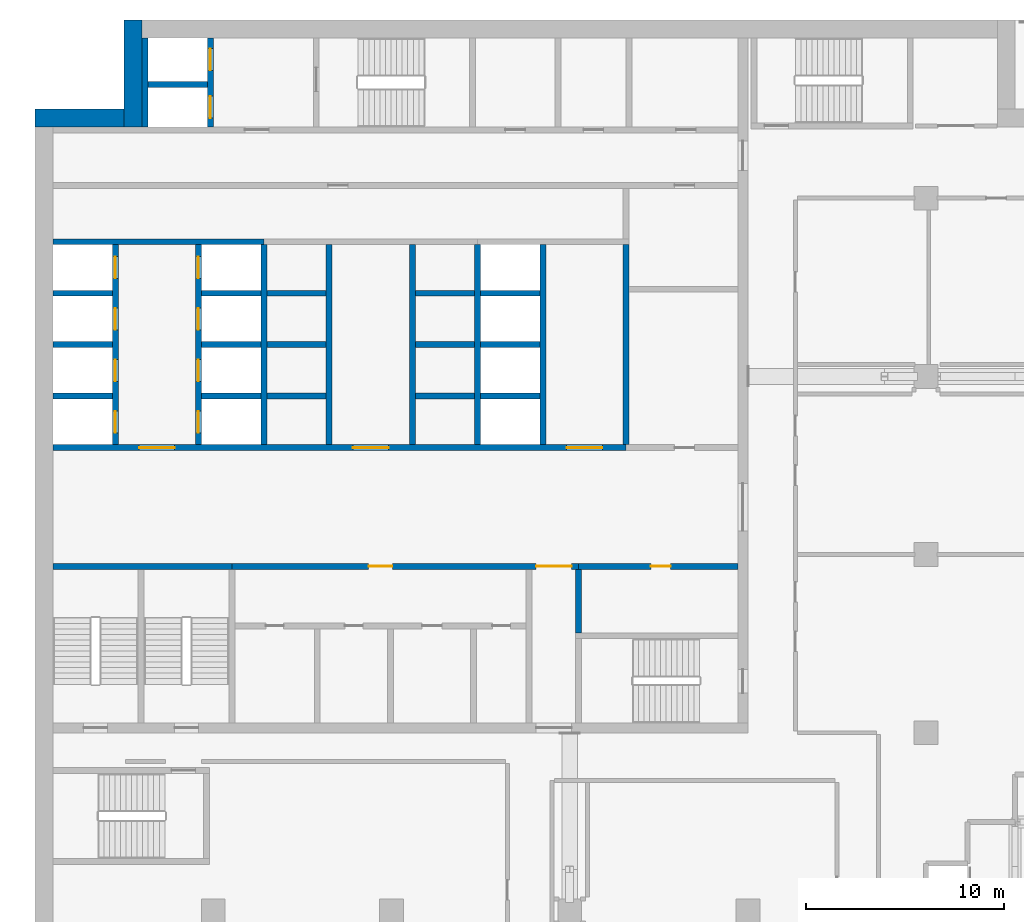
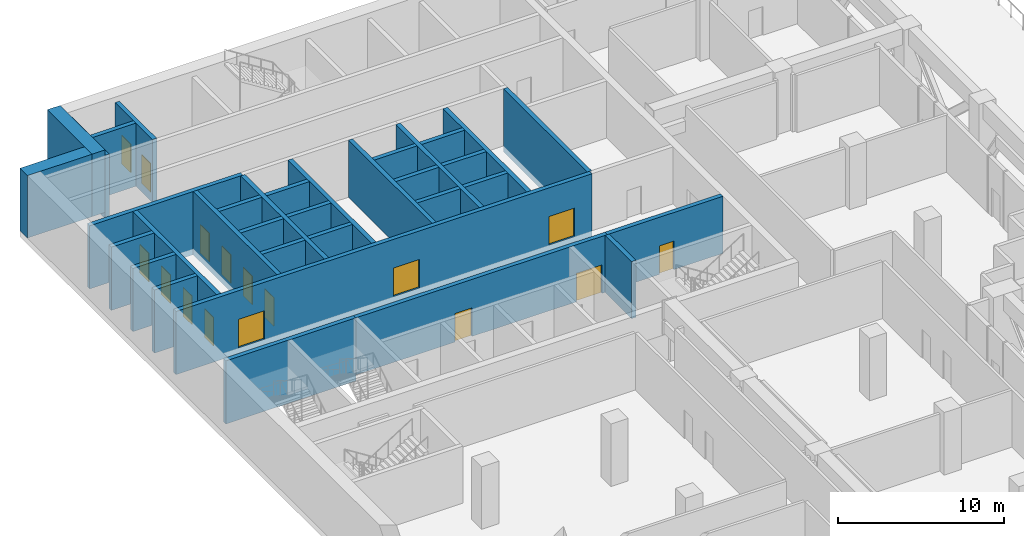
# One storey, part 9 of 20: 34 walls, 16 doors, 16 openings.
"""IFC4 building model written with IfcOpenShell, lengths in metres."""

from ifc_helpers import new_model, si_unit, direction, frame, frame_2d, origin, place, context, subcontext, project, spatial, rectangle, extrude, material, layer, layer_set, type_object, element, fill, save


model = new_model("IFC4")

# Units and contexts
model_context = context("Model", 3, precision=1e-05, world=origin(), true_north=direction((0.0, 1.0)))
body_context = subcontext(model_context, "Body", "Model", "MODEL_VIEW")
ifc_project = project(units=[si_unit("LENGTHUNIT", "METRE"), si_unit("AREAUNIT", "SQUARE_METRE"), si_unit("VOLUMEUNIT", "CUBIC_METRE"), si_unit("PLANEANGLEUNIT", "RADIAN"), si_unit("MASSUNIT", "GRAM", prefix="KILO")], contexts=[model_context])

# Site, building, storey
site_placement = place(None, origin())
site = spatial("IfcSite", under=ifc_project, at=site_placement, CompositionType="ELEMENT")
building_placement = place(site_placement, origin())
building = spatial("IfcBuilding", under=site, at=building_placement, Name="Hunhe Ridgeline Campus", CompositionType="ELEMENT")
storey_placement = place(building_placement, frame((0.0, 0.0, 178.199951171875)))
storey = spatial("IfcBuildingStorey", under=building, at=storey_placement, Name="L45", CompositionType="ELEMENT", Elevation=178.199951171875)

# Wall, openings, doors
ifc_material_1 = material(Name="Masonry concrete blockwork", Category="masonry")
ifc_layer_1 = layer(ifc_material_1, 0.300048828125)
ifc_layer_set_1 = layer_set([ifc_layer_1], Name="Core room partition 300 concrete block")
wall_type_1 = type_object("IfcWallType", Name="Core room partition 300 concrete block", PredefinedType="PARTITIONING", material=ifc_layer_set_1)
wall_1_placement = place(storey_placement, frame((9.949951171875, 71.39990234375, 0.0), z_axis=(0.0, 0.0, 1.0), x_axis=(1.0, 0.0, 0.0)))
wall_1 = element("IfcWall", 1, at=wall_1_placement, inside=storey, type_object=wall_type_1, Name="L45 core partition 11", PredefinedType="PARTITIONING", context=body_context, shape_type="SweptSolid", body=[
    extrude(rectangle(XDim=17.5, YDim=0.300048828125, at=frame_2d((8.75, 0.0))), origin(), (0.0, 0.0, 1.0), 4.199951171875),
])
opening_1_placement = place(wall_1_placement, frame((15.35009765625, 0.0, 0.0)))
opening_1 = element("IfcOpeningElement", 2, at=opening_1_placement, cuts=wall_1, Name="Opening CD7", PredefinedType="OPENING", context=body_context, shape_type="SweptSolid", body=[
    extrude(rectangle(XDim=1.800048828125, YDim=2.10009765625, at=frame_2d((0.89990234375, 1.050048828125))), frame((0.0, 0.14990234375, 0.0), z_axis=(0.0, -1.0, 0.0), x_axis=(1.0, 0.0, 0.0)), (0.0, 0.0, 1.0), 0.300048828125),
])
opening_2_placement = place(wall_1_placement, frame((6.89990234375, 0.0, 0.0)))
opening_2 = element("IfcOpeningElement", 3, at=opening_2_placement, cuts=wall_1, Name="Opening CD37", PredefinedType="OPENING", context=body_context, shape_type="SweptSolid", body=[
    extrude(rectangle(XDim=1.199951171875, YDim=2.10009765625, at=frame_2d((0.60009765625, 1.050048828125))), frame((0.0, 0.14990234375, 0.0), z_axis=(0.0, -1.0, 0.0), x_axis=(1.0, 0.0, 0.0)), (0.0, 0.0, 1.0), 0.300048828125),
])
ifc_material_2 = material(Name="Anodised aluminium and glass", Category="aluminium")
door_type_1 = type_object("IfcDoorType", Name="Glazed double door 1800x2100", OperationType="DOUBLE_DOOR_SINGLE_SWING", PredefinedType="DOOR", material=ifc_material_2)
door_1_placement = place(opening_1_placement, origin())
door_1 = element("IfcDoor", 4, at=door_1_placement, inside=storey, type_object=door_type_1, Name="L45 door VEST-HALL", OperationType="DOUBLE_DOOR_SINGLE_SWING", OverallHeight=2.10009765625, OverallWidth=1.800048828125, PredefinedType="DOOR", context=body_context, shape_type="SweptSolid", body=[
    extrude(rectangle(XDim=1.800048828125, YDim=2.10009765625, at=frame_2d((0.89990234375, 1.050048828125))), frame((0.0, 0.02490234375, 0.0), z_axis=(0.0, -1.0, 0.0), x_axis=(1.0, 0.0, 0.0)), (0.0, 0.0, 1.0), 0.050048828125),
])
fill(opening_1, door_1)
ifc_material_3 = material(Name="Solid core timber door leaf", Category="wood")
door_type_2 = type_object("IfcDoorType", Name="Timber door 1200x2100", OperationType="SINGLE_SWING_LEFT", PredefinedType="DOOR", material=ifc_material_3)
door_2_placement = place(opening_2_placement, origin())
door_2 = element("IfcDoor", 5, at=door_2_placement, inside=storey, type_object=door_type_2, Name="L45 door WCL1-HALL", OperationType="SINGLE_SWING_RIGHT", OverallHeight=2.10009765625, OverallWidth=1.199951171875, PredefinedType="DOOR", context=body_context, shape_type="SweptSolid", body=[
    extrude(rectangle(XDim=1.199951171875, YDim=2.10009765625, at=frame_2d((0.60009765625, 1.050048828125))), frame((0.0, 0.02490234375, 0.0), z_axis=(0.0, -1.0, 0.0), x_axis=(1.0, 0.0, 0.0)), (0.0, 0.0, 1.0), 0.050048828125),
])
fill(opening_2, door_2)

# Wall
wall_2_placement = place(storey_placement, frame((27.449951171875, 68.050048828125, 0.0), z_axis=(0.0, 0.0, 1.0), x_axis=(0.0, 1.0, 0.0)))
element("IfcWall", 6, at=wall_2_placement, inside=storey, type_object=wall_type_1, Name="L45 core partition 61", PredefinedType="PARTITIONING", context=body_context, shape_type="SweptSolid", body=[
    extrude(rectangle(XDim=3.199951171875, YDim=0.300048828125, at=frame_2d((1.60009765625, 0.0))), origin(), (0.0, 0.0, 1.0), 4.199951171875),
])

# Wall, opening, door
ifc_material_4 = material(Name="Concrete C60", Category="concrete")
ifc_layer_2 = layer(ifc_material_4, 0.300048828125)
ifc_layer_set_2 = layer_set([ifc_layer_2], Name="Lobby wall 300 reinforced concrete C60")
wall_type_2 = type_object("IfcWallType", Name="Lobby wall 300 reinforced concrete C60", PredefinedType="SOLIDWALL", material=ifc_layer_set_2)
wall_3_placement = place(storey_placement, frame((27.449951171875, 71.39990234375, 0.0), z_axis=(0.0, 0.0, 1.0), x_axis=(1.0, 0.0, 0.0)))
wall_3 = element("IfcWall", 7, at=wall_3_placement, inside=storey, type_object=wall_type_2, Name="L45 core wall 12", PredefinedType="SOLIDWALL", context=body_context, shape_type="SweptSolid", body=[
    extrude(rectangle(XDim=8.050048828125, YDim=0.300048828125, at=frame_2d((4.02490234375, 0.0))), origin(), (0.0, 0.0, 1.0), 4.199951171875),
])
opening_3_placement = place(wall_3_placement, frame((3.64990234375, 0.0, 0.0)))
opening_3 = element("IfcOpeningElement", 8, at=opening_3_placement, cuts=wall_3, Name="Opening CD25", PredefinedType="OPENING", context=body_context, shape_type="SweptSolid", body=[
    extrude(rectangle(XDim=1.0, YDim=2.10009765625, at=frame_2d((0.5, 1.050048828125))), frame((0.0, 0.14990234375, 0.0), z_axis=(0.0, -1.0, 0.0), x_axis=(1.0, 0.0, 0.0)), (0.0, 0.0, 1.0), 0.300048828125),
])
door_type_3 = type_object("IfcDoorType", Name="Timber door 1000x2100", OperationType="SINGLE_SWING_LEFT", PredefinedType="DOOR", material=ifc_material_3)
door_3_placement = place(opening_3_placement, frame((1.0, 0.0, 0.0), z_axis=(0.0, 0.0, 1.0), x_axis=(-1.0, 0.0, 0.0)))
door_3 = element("IfcDoor", 9, at=door_3_placement, inside=storey, type_object=door_type_3, Name="L45 door SE1", OperationType="SINGLE_SWING_RIGHT", OverallHeight=2.10009765625, OverallWidth=1.0, PredefinedType="DOOR", context=body_context, shape_type="SweptSolid", body=[
    extrude(rectangle(XDim=1.0, YDim=2.10009765625, at=frame_2d((0.5, 1.050048828125))), frame((0.0, 0.02490234375, 0.0), z_axis=(0.0, -1.0, 0.0), x_axis=(1.0, 0.0, 0.0)), (0.0, 0.0, 1.0), 0.050048828125),
])
fill(opening_3, door_3)

# Wall
wall_4_placement = place(storey_placement, frame((29.85009765625, 77.550048828125, -0.449951171875), z_axis=(0.0, 0.0, 1.0), x_axis=(0.0, 1.0, 0.0)))
element("IfcWall", 10, at=wall_4_placement, inside=storey, type_object=wall_type_2, Name="L45 core wall 62", PredefinedType="SOLIDWALL", context=body_context, shape_type="SweptSolid", body=[
    extrude(rectangle(XDim=10.099853515625, YDim=0.300048828125, at=frame_2d((5.0498046875, 0.0))), origin(), (0.0, 0.0, 1.0), 4.64990234375),
])

# Wall, openings, doors
ifc_layer_3 = layer(ifc_material_4, 0.300048828125)
ifc_layer_set_3 = layer_set([ifc_layer_3], Name="Shaft wall 300 reinforced concrete C60")
wall_type_3 = type_object("IfcWallType", Name="Shaft wall 300 reinforced concrete C60", PredefinedType="SOLIDWALL", material=ifc_layer_set_3)
wall_5_placement = place(storey_placement, frame((0.89990234375, 77.39990234375, -0.449951171875), z_axis=(0.0, 0.0, 1.0), x_axis=(1.0, 0.0, 0.0)))
wall_5 = element("IfcWall", 11, at=wall_5_placement, inside=storey, type_object=wall_type_3, Name="L45 core wall 13", PredefinedType="SOLIDWALL", context=body_context, shape_type="SweptSolid", body=[
    extrude(rectangle(XDim=28.9501953125, YDim=0.300048828125, at=frame_2d((14.47509765625, 0.0))), origin(), (0.0, 0.0, 1.0), 4.64990234375),
])
opening_4_placement = place(wall_5_placement, frame((4.35009765625, 0.0, 0.449951171875)))
opening_4 = element("IfcOpeningElement", 12, at=opening_4_placement, cuts=wall_5, Name="Opening CD1", PredefinedType="OPENING", context=body_context, shape_type="SweptSolid", body=[
    extrude(rectangle(XDim=1.800048828125, YDim=2.10009765625, at=frame_2d((0.89990234375, 1.050048828125))), frame((0.0, 0.14990234375, 0.0), z_axis=(0.0, -1.0, 0.0), x_axis=(1.0, 0.0, 0.0)), (0.0, 0.0, 1.0), 0.300048828125),
])
opening_5_placement = place(wall_5_placement, frame((15.14990234375, 0.0, 0.449951171875)))
opening_5 = element("IfcOpeningElement", 13, at=opening_5_placement, cuts=wall_5, Name="Opening CD38", PredefinedType="OPENING", context=body_context, shape_type="SweptSolid", body=[
    extrude(rectangle(XDim=1.800048828125, YDim=2.10009765625, at=frame_2d((0.89990234375, 1.050048828125))), frame((0.0, 0.14990234375, 0.0), z_axis=(0.0, -1.0, 0.0), x_axis=(1.0, 0.0, 0.0)), (0.0, 0.0, 1.0), 0.300048828125),
])
opening_6_placement = place(wall_5_placement, frame((25.949951171875, 0.0, 0.449951171875)))
opening_6 = element("IfcOpeningElement", 14, at=opening_6_placement, cuts=wall_5, Name="Opening CD2", PredefinedType="OPENING", context=body_context, shape_type="SweptSolid", body=[
    extrude(rectangle(XDim=1.800048828125, YDim=2.10009765625, at=frame_2d((0.89990234375, 1.050048828125))), frame((0.0, 0.14990234375, 0.0), z_axis=(0.0, -1.0, 0.0), x_axis=(1.0, 0.0, 0.0)), (0.0, 0.0, 1.0), 0.300048828125),
])
ifc_material_5 = material(Name="Hollow metal fire door leaf")
door_type_4 = type_object("IfcDoorType", Name="Lobby door 1800x2100 FD60", OperationType="SINGLE_SWING_LEFT", PredefinedType="DOOR", material=ifc_material_5)
door_4_placement = place(opening_4_placement, frame((1.800048828125, 0.0, 0.0), z_axis=(0.0, 0.0, 1.0), x_axis=(-1.0, 0.0, 0.0)))
door_4 = element("IfcDoor", 15, at=door_4_placement, inside=storey, type_object=door_type_4, Name="L45 door LOB-LR", OperationType="SINGLE_SWING_RIGHT", OverallHeight=2.10009765625, OverallWidth=1.800048828125, PredefinedType="DOOR", context=body_context, shape_type="SweptSolid", body=[
    extrude(rectangle(XDim=1.800048828125, YDim=2.10009765625, at=frame_2d((0.89990234375, 1.050048828125))), frame((0.0, 0.02490234375, 0.0), z_axis=(0.0, -1.0, 0.0), x_axis=(1.0, 0.0, 0.0)), (0.0, 0.0, 1.0), 0.050048828125),
])
fill(opening_4, door_4)
door_5_placement = place(opening_5_placement, frame((1.800048828125, 0.0, 0.0), z_axis=(0.0, 0.0, 1.0), x_axis=(-1.0, 0.0, 0.0)))
door_5 = element("IfcDoor", 16, at=door_5_placement, inside=storey, type_object=door_type_4, Name="L45 door LOB-HR", OperationType="SINGLE_SWING_LEFT", OverallHeight=2.10009765625, OverallWidth=1.800048828125, PredefinedType="DOOR", context=body_context, shape_type="SweptSolid", body=[
    extrude(rectangle(XDim=1.800048828125, YDim=2.10009765625, at=frame_2d((0.89990234375, 1.050048828125))), frame((0.0, 0.02490234375, 0.0), z_axis=(0.0, -1.0, 0.0), x_axis=(1.0, 0.0, 0.0)), (0.0, 0.0, 1.0), 0.050048828125),
])
fill(opening_5, door_5)
door_6_placement = place(opening_6_placement, frame((1.800048828125, 0.0, 0.0), z_axis=(0.0, 0.0, 1.0), x_axis=(-1.0, 0.0, 0.0)))
door_6 = element("IfcDoor", 17, at=door_6_placement, inside=storey, type_object=door_type_4, Name="L45 door LOB-SH", OperationType="SINGLE_SWING_RIGHT", OverallHeight=2.10009765625, OverallWidth=1.800048828125, PredefinedType="DOOR", context=body_context, shape_type="SweptSolid", body=[
    extrude(rectangle(XDim=1.800048828125, YDim=2.10009765625, at=frame_2d((0.89990234375, 1.050048828125))), frame((0.0, 0.02490234375, 0.0), z_axis=(0.0, -1.0, 0.0), x_axis=(1.0, 0.0, 0.0)), (0.0, 0.0, 1.0), 0.050048828125),
])
fill(opening_6, door_6)

# Walls
for number, where, z_axis, x_axis, name in (
    (18, (0.89990234375, 80.0, -0.449951171875), (0.0, 0.0, 1.0), (1.0, 0.0, 0.0), "L45 core wall 15"),
    (19, (8.39990234375, 80.0, -0.449951171875), (0.0, 0.0, 1.0), (1.0, 0.0, 0.0), "L45 core wall 16"),
):
    element("IfcWall", number, at=place(storey_placement, frame(where, z_axis=z_axis, x_axis=x_axis)), inside=storey, type_object=wall_type_3, Name=name, PredefinedType="SOLIDWALL", context=body_context, shape_type="SweptSolid", body=[
        extrude(rectangle(XDim=3.0, YDim=0.300048828125, at=frame_2d((1.5, 0.0))), origin(), (0.0, 0.0, 1.0), 4.64990234375),
    ])
for number, where, z_axis, x_axis, name in (
    (20, (11.699951171875, 80.0, 0.0), (0.0, 0.0, 1.0), (1.0, 0.0, 0.0), "L45 core wall 17"),
    (21, (19.199951171875, 80.0, 0.0), (0.0, 0.0, 1.0), (1.0, 0.0, 0.0), "L45 core wall 18"),
):
    element("IfcWall", number, at=place(storey_placement, frame(where, z_axis=z_axis, x_axis=x_axis)), inside=storey, type_object=wall_type_3, Name=name, PredefinedType="SOLIDWALL", context=body_context, shape_type="SweptSolid", body=[
        extrude(rectangle(XDim=3.0, YDim=0.300048828125, at=frame_2d((1.5, 0.0))), origin(), (0.0, 0.0, 1.0), 4.199951171875),
    ])
for number, where, z_axis, x_axis, name in (
    (22, (22.5, 80.0, -0.449951171875), (0.0, 0.0, 1.0), (1.0, 0.0, 0.0), "L45 core wall 19"),
    (23, (0.89990234375, 82.60009765625, -0.449951171875), (0.0, 0.0, 1.0), (1.0, 0.0, 0.0), "L45 core wall 20"),
    (24, (8.39990234375, 82.60009765625, -0.449951171875), (0.0, 0.0, 1.0), (1.0, 0.0, 0.0), "L45 core wall 21"),
):
    element("IfcWall", number, at=place(storey_placement, frame(where, z_axis=z_axis, x_axis=x_axis)), inside=storey, type_object=wall_type_3, Name=name, PredefinedType="SOLIDWALL", context=body_context, shape_type="SweptSolid", body=[
        extrude(rectangle(XDim=3.0, YDim=0.300048828125, at=frame_2d((1.5, 0.0))), origin(), (0.0, 0.0, 1.0), 4.64990234375),
    ])
for number, where, z_axis, x_axis, name in (
    (25, (11.699951171875, 82.60009765625, 0.0), (0.0, 0.0, 1.0), (1.0, 0.0, 0.0), "L45 core wall 22"),
    (26, (19.199951171875, 82.60009765625, 0.0), (0.0, 0.0, 1.0), (1.0, 0.0, 0.0), "L45 core wall 23"),
):
    element("IfcWall", number, at=place(storey_placement, frame(where, z_axis=z_axis, x_axis=x_axis)), inside=storey, type_object=wall_type_3, Name=name, PredefinedType="SOLIDWALL", context=body_context, shape_type="SweptSolid", body=[
        extrude(rectangle(XDim=3.0, YDim=0.300048828125, at=frame_2d((1.5, 0.0))), origin(), (0.0, 0.0, 1.0), 4.199951171875),
    ])
for number, where, z_axis, x_axis, name in (
    (27, (22.5, 82.60009765625, -0.449951171875), (0.0, 0.0, 1.0), (1.0, 0.0, 0.0), "L45 core wall 24"),
    (28, (0.89990234375, 85.199951171875, -0.449951171875), (0.0, 0.0, 1.0), (1.0, 0.0, 0.0), "L45 core wall 25"),
    (29, (8.39990234375, 85.199951171875, -0.449951171875), (0.0, 0.0, 1.0), (1.0, 0.0, 0.0), "L45 core wall 26"),
):
    element("IfcWall", number, at=place(storey_placement, frame(where, z_axis=z_axis, x_axis=x_axis)), inside=storey, type_object=wall_type_3, Name=name, PredefinedType="SOLIDWALL", context=body_context, shape_type="SweptSolid", body=[
        extrude(rectangle(XDim=3.0, YDim=0.300048828125, at=frame_2d((1.5, 0.0))), origin(), (0.0, 0.0, 1.0), 4.64990234375),
    ])
for number, where, z_axis, x_axis, name in (
    (30, (11.699951171875, 85.199951171875, 0.0), (0.0, 0.0, 1.0), (1.0, 0.0, 0.0), "L45 core wall 27"),
    (31, (19.199951171875, 85.199951171875, 0.0), (0.0, 0.0, 1.0), (1.0, 0.0, 0.0), "L45 core wall 28"),
):
    element("IfcWall", number, at=place(storey_placement, frame(where, z_axis=z_axis, x_axis=x_axis)), inside=storey, type_object=wall_type_3, Name=name, PredefinedType="SOLIDWALL", context=body_context, shape_type="SweptSolid", body=[
        extrude(rectangle(XDim=3.0, YDim=0.300048828125, at=frame_2d((1.5, 0.0))), origin(), (0.0, 0.0, 1.0), 4.199951171875),
    ])
wall_6_placement = place(storey_placement, frame((22.5, 85.199951171875, -0.449951171875), z_axis=(0.0, 0.0, 1.0), x_axis=(1.0, 0.0, 0.0)))
element("IfcWall", 32, at=wall_6_placement, inside=storey, type_object=wall_type_3, Name="L45 core wall 29", PredefinedType="SOLIDWALL", context=body_context, shape_type="SweptSolid", body=[
    extrude(rectangle(XDim=3.0, YDim=0.300048828125, at=frame_2d((1.5, 0.0))), origin(), (0.0, 0.0, 1.0), 4.64990234375),
])
wall_7_placement = place(storey_placement, frame((0.89990234375, 87.800048828125, -0.449951171875), z_axis=(0.0, 0.0, 1.0), x_axis=(1.0, 0.0, 0.0)))
element("IfcWall", 33, at=wall_7_placement, inside=storey, type_object=wall_type_3, Name="L45 core wall 31", PredefinedType="SOLIDWALL", context=body_context, shape_type="SweptSolid", body=[
    extrude(rectangle(XDim=10.650146484375, YDim=0.300048828125, at=frame_2d((5.3251953125, 0.0))), origin(), (0.0, 0.0, 1.0), 4.64990234375),
])
wall_8_placement = place(storey_placement, frame((5.699951171875, 95.75, -0.449951171875), z_axis=(0.0, 0.0, 1.0), x_axis=(1.0, 0.0, 0.0)))
element("IfcWall", 34, at=wall_8_placement, inside=storey, type_object=wall_type_3, Name="L45 core wall 37", PredefinedType="SOLIDWALL", context=body_context, shape_type="SweptSolid", body=[
    extrude(rectangle(XDim=3.0, YDim=0.300048828125, at=frame_2d((1.5, 0.0))), origin(), (0.0, 0.0, 1.0), 4.64990234375),
])

# Wall, openings, doors
wall_9_placement = place(storey_placement, frame((4.050048828125, 77.550048828125, -0.449951171875), z_axis=(0.0, 0.0, 1.0), x_axis=(0.0, 1.0, 0.0)))
wall_9 = element("IfcWall", 35, at=wall_9_placement, inside=storey, type_object=wall_type_3, Name="L45 core wall 38", PredefinedType="SOLIDWALL", context=body_context, shape_type="SweptSolid", body=[
    extrude(rectangle(XDim=10.099853515625, YDim=0.300048828125, at=frame_2d((5.0498046875, 0.0))), origin(), (0.0, 0.0, 1.0), 4.64990234375),
])
opening_7_placement = place(wall_9_placement, frame((0.60009765625, 0.0, 0.449951171875)))
opening_7 = element("IfcOpeningElement", 36, at=opening_7_placement, cuts=wall_9, Name="Opening LD-LR1", PredefinedType="OPENING", context=body_context, shape_type="SweptSolid", body=[
    extrude(rectangle(XDim=1.10009765625, YDim=2.10009765625, at=frame_2d((0.550048828125, 1.050048828125))), frame((0.0, 0.14990234375, 0.0), z_axis=(0.0, -1.0, 0.0), x_axis=(1.0, 0.0, 0.0)), (0.0, 0.0, 1.0), 0.300048828125),
])
opening_8_placement = place(wall_9_placement, frame((3.199951171875, 0.0, 0.449951171875)))
opening_8 = element("IfcOpeningElement", 37, at=opening_8_placement, cuts=wall_9, Name="Opening LD-LR2", PredefinedType="OPENING", context=body_context, shape_type="SweptSolid", body=[
    extrude(rectangle(XDim=1.10009765625, YDim=2.10009765625, at=frame_2d((0.550048828125, 1.050048828125))), frame((0.0, 0.14990234375, 0.0), z_axis=(0.0, -1.0, 0.0), x_axis=(1.0, 0.0, 0.0)), (0.0, 0.0, 1.0), 0.300048828125),
])
opening_9_placement = place(wall_9_placement, frame((5.800048828125, 0.0, 0.449951171875)))
opening_9 = element("IfcOpeningElement", 38, at=opening_9_placement, cuts=wall_9, Name="Opening LD-LR3", PredefinedType="OPENING", context=body_context, shape_type="SweptSolid", body=[
    extrude(rectangle(XDim=1.10009765625, YDim=2.10009765625, at=frame_2d((0.550048828125, 1.050048828125))), frame((0.0, 0.14990234375, 0.0), z_axis=(0.0, -1.0, 0.0), x_axis=(1.0, 0.0, 0.0)), (0.0, 0.0, 1.0), 0.300048828125),
])
opening_10_placement = place(wall_9_placement, frame((8.39990234375, 0.0, 0.449951171875)))
opening_10 = element("IfcOpeningElement", 39, at=opening_10_placement, cuts=wall_9, Name="Opening LD-LR4", PredefinedType="OPENING", context=body_context, shape_type="SweptSolid", body=[
    extrude(rectangle(XDim=1.10009765625, YDim=2.10009765625, at=frame_2d((0.550048828125, 1.050048828125))), frame((0.0, 0.14990234375, 0.0), z_axis=(0.0, -1.0, 0.0), x_axis=(1.0, 0.0, 0.0)), (0.0, 0.0, 1.0), 0.300048828125),
])
ifc_material_6 = material(Name="Stainless steel sliding leaves", Category="steel")
door_type_5 = type_object("IfcDoorType", Name="Landing door 1100x2100 FD120", OperationType="SLIDING_TO_LEFT", PredefinedType="DOOR", material=ifc_material_6)
door_7_placement = place(opening_7_placement, origin())
door_7 = element("IfcDoor", 40, at=door_7_placement, inside=storey, type_object=door_type_5, Name="L45 landing door LR1", OperationType="SLIDING_TO_RIGHT", OverallHeight=2.10009765625, OverallWidth=1.10009765625, PredefinedType="DOOR", context=body_context, shape_type="SweptSolid", body=[
    extrude(rectangle(XDim=1.10009765625, YDim=2.10009765625, at=frame_2d((0.550048828125, 1.050048828125))), frame((0.0, 0.02490234375, 0.0), z_axis=(0.0, -1.0, 0.0), x_axis=(1.0, 0.0, 0.0)), (0.0, 0.0, 1.0), 0.050048828125),
])
fill(opening_7, door_7)
door_8_placement = place(opening_8_placement, origin())
door_8 = element("IfcDoor", 41, at=door_8_placement, inside=storey, type_object=door_type_5, Name="L45 landing door LR2", OperationType="SLIDING_TO_LEFT", OverallHeight=2.10009765625, OverallWidth=1.10009765625, PredefinedType="DOOR", context=body_context, shape_type="SweptSolid", body=[
    extrude(rectangle(XDim=1.10009765625, YDim=2.10009765625, at=frame_2d((0.550048828125, 1.050048828125))), frame((0.0, 0.02490234375, 0.0), z_axis=(0.0, -1.0, 0.0), x_axis=(1.0, 0.0, 0.0)), (0.0, 0.0, 1.0), 0.050048828125),
])
fill(opening_8, door_8)
door_9_placement = place(opening_9_placement, origin())
door_9 = element("IfcDoor", 42, at=door_9_placement, inside=storey, type_object=door_type_5, Name="L45 landing door LR3", OperationType="SLIDING_TO_RIGHT", OverallHeight=2.10009765625, OverallWidth=1.10009765625, PredefinedType="DOOR", context=body_context, shape_type="SweptSolid", body=[
    extrude(rectangle(XDim=1.10009765625, YDim=2.10009765625, at=frame_2d((0.550048828125, 1.050048828125))), frame((0.0, 0.02490234375, 0.0), z_axis=(0.0, -1.0, 0.0), x_axis=(1.0, 0.0, 0.0)), (0.0, 0.0, 1.0), 0.050048828125),
])
fill(opening_9, door_9)
door_10_placement = place(opening_10_placement, origin())
door_10 = element("IfcDoor", 43, at=door_10_placement, inside=storey, type_object=door_type_5, Name="L45 landing door LR4", OperationType="SLIDING_TO_LEFT", OverallHeight=2.10009765625, OverallWidth=1.10009765625, PredefinedType="DOOR", context=body_context, shape_type="SweptSolid", body=[
    extrude(rectangle(XDim=1.10009765625, YDim=2.10009765625, at=frame_2d((0.550048828125, 1.050048828125))), frame((0.0, 0.02490234375, 0.0), z_axis=(0.0, -1.0, 0.0), x_axis=(1.0, 0.0, 0.0)), (0.0, 0.0, 1.0), 0.050048828125),
])
fill(opening_10, door_10)

# Wall
wall_10_placement = place(storey_placement, frame((5.550048828125, 93.60009765625, -0.449951171875), z_axis=(0.0, 0.0, 1.0), x_axis=(0.0, 1.0, 0.0)))
element("IfcWall", 44, at=wall_10_placement, inside=storey, type_object=wall_type_3, Name="L45 core wall 40", PredefinedType="SOLIDWALL", context=body_context, shape_type="SweptSolid", body=[
    extrude(rectangle(XDim=4.5, YDim=0.300048828125, at=frame_2d((2.25, 0.0))), origin(), (0.0, 0.0, 1.0), 4.64990234375),
])

# Wall, openings, doors
wall_11_placement = place(storey_placement, frame((8.25, 77.550048828125, -0.449951171875), z_axis=(0.0, 0.0, 1.0), x_axis=(0.0, 1.0, 0.0)))
wall_11 = element("IfcWall", 45, at=wall_11_placement, inside=storey, type_object=wall_type_3, Name="L45 core wall 41", PredefinedType="SOLIDWALL", context=body_context, shape_type="SweptSolid", body=[
    extrude(rectangle(XDim=10.099853515625, YDim=0.300048828125, at=frame_2d((5.0498046875, 0.0))), origin(), (0.0, 0.0, 1.0), 4.64990234375),
])
opening_11_placement = place(wall_11_placement, frame((0.60009765625, 0.0, 0.449951171875)))
opening_11 = element("IfcOpeningElement", 46, at=opening_11_placement, cuts=wall_11, Name="Opening LD-LR5", PredefinedType="OPENING", context=body_context, shape_type="SweptSolid", body=[
    extrude(rectangle(XDim=1.10009765625, YDim=2.10009765625, at=frame_2d((0.550048828125, 1.050048828125))), frame((0.0, 0.14990234375, 0.0), z_axis=(0.0, -1.0, 0.0), x_axis=(1.0, 0.0, 0.0)), (0.0, 0.0, 1.0), 0.300048828125),
])
opening_12_placement = place(wall_11_placement, frame((3.199951171875, 0.0, 0.449951171875)))
opening_12 = element("IfcOpeningElement", 47, at=opening_12_placement, cuts=wall_11, Name="Opening LD-LR6", PredefinedType="OPENING", context=body_context, shape_type="SweptSolid", body=[
    extrude(rectangle(XDim=1.10009765625, YDim=2.10009765625, at=frame_2d((0.550048828125, 1.050048828125))), frame((0.0, 0.14990234375, 0.0), z_axis=(0.0, -1.0, 0.0), x_axis=(1.0, 0.0, 0.0)), (0.0, 0.0, 1.0), 0.300048828125),
])
opening_13_placement = place(wall_11_placement, frame((5.800048828125, 0.0, 0.449951171875)))
opening_13 = element("IfcOpeningElement", 48, at=opening_13_placement, cuts=wall_11, Name="Opening LD-LR7", PredefinedType="OPENING", context=body_context, shape_type="SweptSolid", body=[
    extrude(rectangle(XDim=1.10009765625, YDim=2.10009765625, at=frame_2d((0.550048828125, 1.050048828125))), frame((0.0, 0.14990234375, 0.0), z_axis=(0.0, -1.0, 0.0), x_axis=(1.0, 0.0, 0.0)), (0.0, 0.0, 1.0), 0.300048828125),
])
opening_14_placement = place(wall_11_placement, frame((8.39990234375, 0.0, 0.449951171875)))
opening_14 = element("IfcOpeningElement", 49, at=opening_14_placement, cuts=wall_11, Name="Opening LD-LR8", PredefinedType="OPENING", context=body_context, shape_type="SweptSolid", body=[
    extrude(rectangle(XDim=1.10009765625, YDim=2.10009765625, at=frame_2d((0.550048828125, 1.050048828125))), frame((0.0, 0.14990234375, 0.0), z_axis=(0.0, -1.0, 0.0), x_axis=(1.0, 0.0, 0.0)), (0.0, 0.0, 1.0), 0.300048828125),
])
door_11_placement = place(opening_11_placement, origin())
door_11 = element("IfcDoor", 50, at=door_11_placement, inside=storey, type_object=door_type_5, Name="L45 landing door LR5", OperationType="SLIDING_TO_RIGHT", OverallHeight=2.10009765625, OverallWidth=1.10009765625, PredefinedType="DOOR", context=body_context, shape_type="SweptSolid", body=[
    extrude(rectangle(XDim=1.10009765625, YDim=2.10009765625, at=frame_2d((0.550048828125, 1.050048828125))), frame((0.0, 0.02490234375, 0.0), z_axis=(0.0, -1.0, 0.0), x_axis=(1.0, 0.0, 0.0)), (0.0, 0.0, 1.0), 0.050048828125),
])
fill(opening_11, door_11)
door_12_placement = place(opening_12_placement, origin())
door_12 = element("IfcDoor", 51, at=door_12_placement, inside=storey, type_object=door_type_5, Name="L45 landing door LR6", OperationType="SLIDING_TO_LEFT", OverallHeight=2.10009765625, OverallWidth=1.10009765625, PredefinedType="DOOR", context=body_context, shape_type="SweptSolid", body=[
    extrude(rectangle(XDim=1.10009765625, YDim=2.10009765625, at=frame_2d((0.550048828125, 1.050048828125))), frame((0.0, 0.02490234375, 0.0), z_axis=(0.0, -1.0, 0.0), x_axis=(1.0, 0.0, 0.0)), (0.0, 0.0, 1.0), 0.050048828125),
])
fill(opening_12, door_12)
door_13_placement = place(opening_13_placement, origin())
door_13 = element("IfcDoor", 52, at=door_13_placement, inside=storey, type_object=door_type_5, Name="L45 landing door LR7", OperationType="SLIDING_TO_RIGHT", OverallHeight=2.10009765625, OverallWidth=1.10009765625, PredefinedType="DOOR", context=body_context, shape_type="SweptSolid", body=[
    extrude(rectangle(XDim=1.10009765625, YDim=2.10009765625, at=frame_2d((0.550048828125, 1.050048828125))), frame((0.0, 0.02490234375, 0.0), z_axis=(0.0, -1.0, 0.0), x_axis=(1.0, 0.0, 0.0)), (0.0, 0.0, 1.0), 0.050048828125),
])
fill(opening_13, door_13)
door_14_placement = place(opening_14_placement, origin())
door_14 = element("IfcDoor", 53, at=door_14_placement, inside=storey, type_object=door_type_5, Name="L45 landing door LR8", OperationType="SLIDING_TO_LEFT", OverallHeight=2.10009765625, OverallWidth=1.10009765625, PredefinedType="DOOR", context=body_context, shape_type="SweptSolid", body=[
    extrude(rectangle(XDim=1.10009765625, YDim=2.10009765625, at=frame_2d((0.550048828125, 1.050048828125))), frame((0.0, 0.02490234375, 0.0), z_axis=(0.0, -1.0, 0.0), x_axis=(1.0, 0.0, 0.0)), (0.0, 0.0, 1.0), 0.050048828125),
])
fill(opening_14, door_14)

wall_12_placement = place(storey_placement, frame((8.85009765625, 93.60009765625, -0.449951171875), z_axis=(0.0, 0.0, 1.0), x_axis=(0.0, 1.0, 0.0)))
wall_12 = element("IfcWall", 54, at=wall_12_placement, inside=storey, type_object=wall_type_3, Name="L45 core wall 44", PredefinedType="SOLIDWALL", context=body_context, shape_type="SweptSolid", body=[
    extrude(rectangle(XDim=4.5, YDim=0.300048828125, at=frame_2d((2.25, 0.0))), origin(), (0.0, 0.0, 1.0), 4.64990234375),
])
opening_15_placement = place(wall_12_placement, frame((0.449951171875, 0.0, 0.449951171875)))
opening_15 = element("IfcOpeningElement", 55, at=opening_15_placement, cuts=wall_12, Name="Opening LD-FF1", PredefinedType="OPENING", context=body_context, shape_type="SweptSolid", body=[
    extrude(rectangle(XDim=1.10009765625, YDim=2.10009765625, at=frame_2d((0.550048828125, 1.050048828125))), frame((0.0, 0.14990234375, 0.0), z_axis=(0.0, -1.0, 0.0), x_axis=(1.0, 0.0, 0.0)), (0.0, 0.0, 1.0), 0.300048828125),
])
opening_16_placement = place(wall_12_placement, frame((2.85009765625, 0.0, 0.449951171875)))
opening_16 = element("IfcOpeningElement", 56, at=opening_16_placement, cuts=wall_12, Name="Opening LD-FF2", PredefinedType="OPENING", context=body_context, shape_type="SweptSolid", body=[
    extrude(rectangle(XDim=1.10009765625, YDim=2.10009765625, at=frame_2d((0.550048828125, 1.050048828125))), frame((0.0, 0.14990234375, 0.0), z_axis=(0.0, -1.0, 0.0), x_axis=(1.0, 0.0, 0.0)), (0.0, 0.0, 1.0), 0.300048828125),
])
door_15_placement = place(opening_15_placement, origin())
door_15 = element("IfcDoor", 57, at=door_15_placement, inside=storey, type_object=door_type_5, Name="L45 landing door FF1", OperationType="SLIDING_TO_RIGHT", OverallHeight=2.10009765625, OverallWidth=1.10009765625, PredefinedType="DOOR", context=body_context, shape_type="SweptSolid", body=[
    extrude(rectangle(XDim=1.10009765625, YDim=2.10009765625, at=frame_2d((0.550048828125, 1.050048828125))), frame((0.0, 0.02490234375, 0.0), z_axis=(0.0, -1.0, 0.0), x_axis=(1.0, 0.0, 0.0)), (0.0, 0.0, 1.0), 0.050048828125),
])
fill(opening_15, door_15)
door_16_placement = place(opening_16_placement, origin())
door_16 = element("IfcDoor", 58, at=door_16_placement, inside=storey, type_object=door_type_5, Name="L45 landing door FF2", OperationType="SLIDING_TO_LEFT", OverallHeight=2.10009765625, OverallWidth=1.10009765625, PredefinedType="DOOR", context=body_context, shape_type="SweptSolid", body=[
    extrude(rectangle(XDim=1.10009765625, YDim=2.10009765625, at=frame_2d((0.550048828125, 1.050048828125))), frame((0.0, 0.02490234375, 0.0), z_axis=(0.0, -1.0, 0.0), x_axis=(1.0, 0.0, 0.0)), (0.0, 0.0, 1.0), 0.050048828125),
])
fill(opening_16, door_16)

# Walls
wall_13_placement = place(storey_placement, frame((11.550048828125, 77.550048828125, -0.449951171875), z_axis=(0.0, 0.0, 1.0), x_axis=(0.0, 1.0, 0.0)))
element("IfcWall", 59, at=wall_13_placement, inside=storey, type_object=wall_type_3, Name="L45 core wall 46", PredefinedType="SOLIDWALL", context=body_context, shape_type="SweptSolid", body=[
    extrude(rectangle(XDim=10.099853515625, YDim=0.300048828125, at=frame_2d((5.0498046875, 0.0))), origin(), (0.0, 0.0, 1.0), 4.64990234375),
])
for number, where, z_axis, x_axis, name in (
    (60, (14.85009765625, 77.550048828125, 0.0), (0.0, 0.0, 1.0), (0.0, 1.0, 0.0), "L45 core wall 49"),
    (61, (19.050048828125, 77.550048828125, 0.0), (0.0, 0.0, 1.0), (0.0, 1.0, 0.0), "L45 core wall 51"),
):
    element("IfcWall", number, at=place(storey_placement, frame(where, z_axis=z_axis, x_axis=x_axis)), inside=storey, type_object=wall_type_3, Name=name, PredefinedType="SOLIDWALL", context=body_context, shape_type="SweptSolid", body=[
        extrude(rectangle(XDim=10.099853515625, YDim=0.300048828125, at=frame_2d((5.0498046875, 0.0))), origin(), (0.0, 0.0, 1.0), 4.199951171875),
    ])
for number, where, z_axis, x_axis, name in (
    (62, (22.35009765625, 77.550048828125, -0.449951171875), (0.0, 0.0, 1.0), (0.0, 1.0, 0.0), "L45 core wall 55"),
    (63, (25.64990234375, 77.550048828125, -0.449951171875), (0.0, 0.0, 1.0), (0.0, 1.0, 0.0), "L45 core wall 58"),
):
    element("IfcWall", number, at=place(storey_placement, frame(where, z_axis=z_axis, x_axis=x_axis)), inside=storey, type_object=wall_type_3, Name=name, PredefinedType="SOLIDWALL", context=body_context, shape_type="SweptSolid", body=[
        extrude(rectangle(XDim=10.099853515625, YDim=0.300048828125, at=frame_2d((5.0498046875, 0.0))), origin(), (0.0, 0.0, 1.0), 4.64990234375),
    ])
ifc_layer_4 = layer(ifc_material_4, 0.89990234375)
ifc_layer_set_4 = layer_set([ifc_layer_4], Name="Spine wall 900 Concrete C60")
wall_type_4 = type_object("IfcWallType", Name="Spine wall 900 Concrete C60", PredefinedType="SHEAR", material=ifc_layer_set_4)
for number, where, z_axis, x_axis, name in (
    (64, (4.949951171875, 99.0, 0.0), (0.0, 0.0, 1.0), (0.0, -1.0, 0.0), "Spine wall SW3-5 L45"),
    (65, (5.400146484375, 94.050048828125, 0.0), (0.0, 0.0, 1.0), (-1.0, 0.0, 0.0), "Spine wall SW3-6 L45"),
):
    element("IfcWall", number, at=place(storey_placement, frame(where, z_axis=z_axis, x_axis=x_axis)), inside=storey, type_object=wall_type_4, Name=name, PredefinedType="SHEAR", context=body_context, shape_type="SweptSolid", body=[
        extrude(rectangle(XDim=5.400146484375, YDim=0.89990234375, at=frame_2d((2.7001953125, 0.0))), origin(), (0.0, 0.0, 1.0), 4.60009765625),
    ])
ifc_layer_5 = layer(ifc_material_4, 0.300048828125)
ifc_layer_set_5 = layer_set([ifc_layer_5], Name="Stair wall 300 reinforced concrete C60")
wall_type_5 = type_object("IfcWallType", Name="Stair wall 300 reinforced concrete C60", PredefinedType="SOLIDWALL", material=ifc_layer_set_5)
wall_14_placement = place(storey_placement, frame((0.89990234375, 71.39990234375, -0.449951171875), z_axis=(0.0, 0.0, 1.0), x_axis=(1.0, 0.0, 0.0)))
element("IfcWall", 66, at=wall_14_placement, inside=storey, type_object=wall_type_5, Name="L45 core wall 10", PredefinedType="SOLIDWALL", context=body_context, shape_type="SweptSolid", body=[
    extrude(rectangle(XDim=9.050048828125, YDim=0.300048828125, at=frame_2d((4.52490234375, 0.0))), origin(), (0.0, 0.0, 1.0), 4.64990234375),
])

save(model, "model.ifc")
